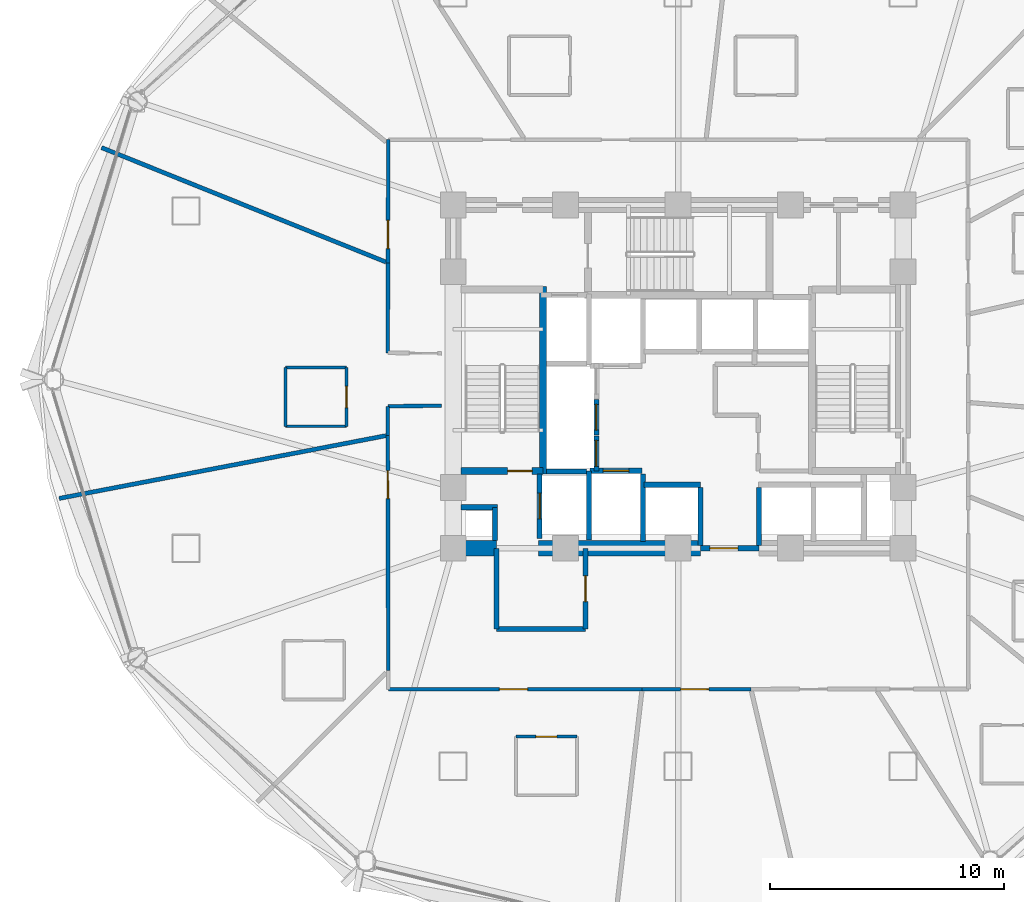
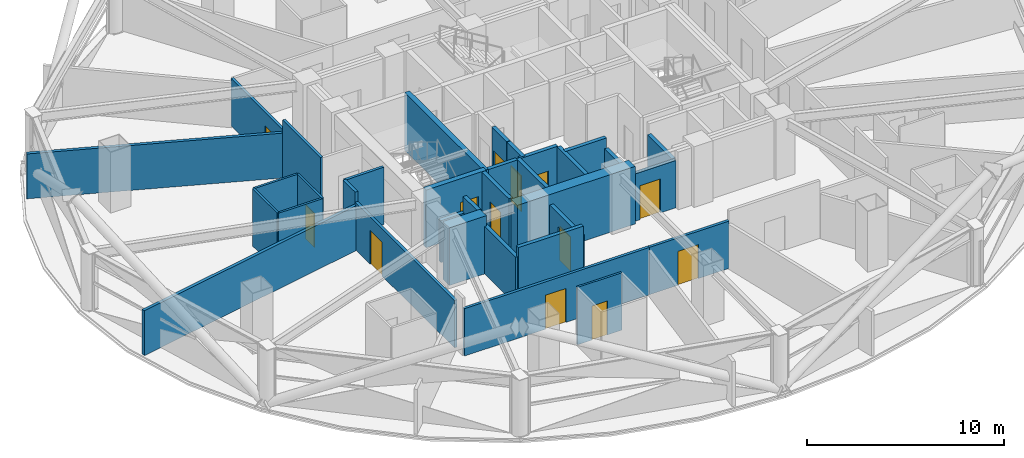
# One storey, part 23 of 30: 34 walls, 13 doors, 13 openings.
"""IFC4 building model written with IfcOpenShell, lengths in metres."""

from ifc_helpers import new_model, si_unit, direction, frame, frame_2d, origin, place, context, subcontext, project, spatial, rectangle, extrude, material, layer, layer_set, type_object, element, fill, save


model = new_model("IFC4")

# Units and contexts
model_context = context("Model", 3, precision=1e-05, world=origin(), true_north=direction((0.0, 1.0)))
body_context = subcontext(model_context, "Body", "Model", "MODEL_VIEW")
ifc_project = project(units=[si_unit("LENGTHUNIT", "METRE"), si_unit("AREAUNIT", "SQUARE_METRE"), si_unit("VOLUMEUNIT", "CUBIC_METRE"), si_unit("PLANEANGLEUNIT", "RADIAN"), si_unit("MASSUNIT", "GRAM", prefix="KILO")], contexts=[model_context])

# Site, building, storey
site_placement = place(None, origin())
site = spatial("IfcSite", under=ifc_project, at=site_placement, CompositionType="ELEMENT")
building_placement = place(site_placement, origin())
building = spatial("IfcBuilding", under=site, at=building_placement, Name="Vantalir Tower", CompositionType="ELEMENT")
storey_placement = place(building_placement, frame((0.0, 0.0, 49.5)))
storey = spatial("IfcBuildingStorey", under=building, at=storey_placement, Name="L11", CompositionType="ELEMENT", Elevation=49.5)

# Walls
ifc_material_1 = material(Name="Moisture-resistant en-suite partition", Category="gypsum")
ifc_layer_1 = layer(ifc_material_1, 0.125)
ifc_layer_set_1 = layer_set([ifc_layer_1], Name="Moisture-resistant en-suite partition")
wall_type_1 = type_object("IfcWallType", Name="WL-BATH-125", PredefinedType="PARTITIONING", material=ifc_layer_set_1)
for number, where, z_axis, x_axis, name in (
    (1, (14.748046875, 23.006103515625, 0.0), (0.0, 0.0, 1.0), (1.0, 0.0, 0.0), "L11 En-suite 07 South Wall"),
    (2, (14.748046875, 25.506103515625, 0.0), (0.0, 0.0, 1.0), (1.0, 0.0, 0.0), "L11 En-suite 07 North Wall"),
):
    element("IfcWall", number, at=place(storey_placement, frame(where, z_axis=z_axis, x_axis=x_axis)), inside=storey, type_object=wall_type_1, Name=name, PredefinedType="PARTITIONING", context=body_context, shape_type="SweptSolid", body=[
        extrude(rectangle(XDim=2.599853515625, YDim=0.125, at=frame_2d((1.2998046875, 0.0))), origin(), (0.0, 0.0, 1.0), 3.550048828125),
    ])
wall_1_placement = place(storey_placement, frame((14.748046875, 23.006103515625, 0.0), z_axis=(0.0, 0.0, 1.0), x_axis=(0.0, 1.0, 0.0)))
element("IfcWall", 3, at=wall_1_placement, inside=storey, type_object=wall_type_1, Name="L11 En-suite 07 West Wall", PredefinedType="PARTITIONING", context=body_context, shape_type="SweptSolid", body=[
    extrude(rectangle(XDim=2.5, YDim=0.125, at=frame_2d((1.25, 0.0))), origin(), (0.0, 0.0, 1.0), 3.550048828125),
])

# Wall, opening, door
wall_2_placement = place(storey_placement, frame((17.347900390625, 23.006103515625, 0.0), z_axis=(0.0, 0.0, 1.0), x_axis=(0.0, 1.0, 0.0)))
wall_2 = element("IfcWall", 4, at=wall_2_placement, inside=storey, type_object=wall_type_1, Name="L11 En-suite 07 East Wall", PredefinedType="PARTITIONING", context=body_context, shape_type="SweptSolid", body=[
    extrude(rectangle(XDim=2.5, YDim=0.125, at=frame_2d((1.25, 0.0))), origin(), (0.0, 0.0, 1.0), 3.550048828125),
])
opening_1_placement = place(wall_2_placement, frame((0.800048828125, 0.0, 0.0)))
opening_1 = element("IfcOpeningElement", 5, at=opening_1_placement, cuts=wall_2, Name="Opening D-WC", PredefinedType="OPENING", context=body_context, shape_type="SweptSolid", body=[
    extrude(rectangle(XDim=0.89990234375, YDim=2.10009765625, at=frame_2d((0.449951171875, 1.050048828125))), frame((0.0, 0.072509765625, 0.0), z_axis=(0.0, -1.0, 0.0), x_axis=(1.0, 0.0, 0.0)), (0.0, 0.0, 1.0), 0.14501953125),
])
ifc_material_2 = material(Name="Moisture-resistant hardwood door", Category="wood")
door_type_1 = type_object("IfcDoorType", Name="DR-ENSUITE-900", OperationType="NOTDEFINED", PredefinedType="DOOR", material=ifc_material_2)
door_1_placement = place(opening_1_placement, origin())
door_1 = element("IfcDoor", 6, at=door_1_placement, inside=storey, type_object=door_type_1, Name="L11 En-suite 07 Door", OperationType="SINGLE_SWING_LEFT", OverallHeight=2.10009765625, OverallWidth=0.89990234375, PredefinedType="DOOR", context=body_context, shape_type="SweptSolid", body=[
    extrude(rectangle(XDim=0.89990234375, YDim=2.10009765625, at=frame_2d((0.449951171875, 1.050048828125))), frame((0.0, 0.02490234375, 0.0), z_axis=(0.0, -1.0, 0.0), x_axis=(1.0, 0.0, 0.0)), (0.0, 0.0, 1.0), 0.050048828125),
])
fill(opening_1, door_1)

wall_3_placement = place(storey_placement, frame((24.580078125, 9.761962890625, 0.0), z_axis=(0.0, 0.0, 1.0), x_axis=(1.0, 0.0, 0.0)))
wall_3 = element("IfcWall", 7, at=wall_3_placement, inside=storey, type_object=wall_type_1, Name="L11 En-suite 09 North Wall", PredefinedType="PARTITIONING", context=body_context, shape_type="SweptSolid", body=[
    extrude(rectangle(XDim=2.599853515625, YDim=0.125, at=frame_2d((1.2998046875, 0.0))), origin(), (0.0, 0.0, 1.0), 3.550048828125),
])
opening_2_placement = place(wall_3_placement, frame((0.85009765625, 0.0, 0.0)))
opening_2 = element("IfcOpeningElement", 8, at=opening_2_placement, cuts=wall_3, Name="Opening D-WC", PredefinedType="OPENING", context=body_context, shape_type="SweptSolid", body=[
    extrude(rectangle(XDim=0.89990234375, YDim=2.10009765625, at=frame_2d((0.449951171875, 1.050048828125))), frame((0.0, 0.072509765625, 0.0), z_axis=(0.0, -1.0, 0.0), x_axis=(1.0, 0.0, 0.0)), (0.0, 0.0, 1.0), 0.14501953125),
])
door_2_placement = place(opening_2_placement, frame((0.89990234375, 0.0, 0.0), z_axis=(0.0, 0.0, 1.0), x_axis=(-1.0, 0.0, 0.0)))
door_2 = element("IfcDoor", 9, at=door_2_placement, inside=storey, type_object=door_type_1, Name="L11 En-suite 09 Door", OperationType="SINGLE_SWING_LEFT", OverallHeight=2.10009765625, OverallWidth=0.89990234375, PredefinedType="DOOR", context=body_context, shape_type="SweptSolid", body=[
    extrude(rectangle(XDim=0.89990234375, YDim=2.10009765625, at=frame_2d((0.449951171875, 1.050048828125))), frame((0.0, 0.02490234375, 0.0), z_axis=(0.0, -1.0, 0.0), x_axis=(1.0, 0.0, 0.0)), (0.0, 0.0, 1.0), 0.050048828125),
])
fill(opening_2, door_2)

# Walls
ifc_material_3 = material(Name="Concrete C60/75", Category="concrete")
ifc_layer_2 = layer(ifc_material_3, 0.64990234375)
ifc_layer_set_2 = layer_set([ifc_layer_2], Name="Concrete C60/75")
wall_type_2 = type_object("IfcWallType", Name="WL-CORE-650", PredefinedType="SHEAR", material=ifc_layer_set_2)
wall_4_placement = place(storey_placement, frame((21.574951171875, 17.800048828125, 0.0), z_axis=(0.0, 0.0, 1.0), x_axis=(1.0, 0.0, 0.0)))
element("IfcWall", 10, at=wall_4_placement, inside=storey, type_object=wall_type_2, Name="L11 Core Shear Wall South-West", PredefinedType="SHEAR", context=body_context, shape_type="SweptSolid", body=[
    extrude(rectangle(XDim=2.175048828125, YDim=0.64990234375, at=frame_2d((1.08740234375, 0.0))), origin(), (0.0, 0.0, 1.0), 3.570068359375),
])
wall_5_placement = place(storey_placement, frame((25.550048828125, 17.800048828125, 0.0), z_axis=(0.0, 0.0, 1.0), x_axis=(1.0, 0.0, 0.0)))
element("IfcWall", 11, at=wall_5_placement, inside=storey, type_object=wall_type_2, Name="L11 Core Shear Wall South-Mid", PredefinedType="SHEAR", context=body_context, shape_type="SweptSolid", body=[
    extrude(rectangle(XDim=6.89990234375, YDim=0.64990234375, at=frame_2d((3.449951171875, 0.0))), origin(), (0.0, 0.0, 1.0), 3.570068359375),
])
ifc_material_4 = material(Name="Fire-rated hotel corridor acoustic partition", Category="gypsum")
ifc_layer_3 = layer(ifc_material_4, 0.159912109375)
ifc_layer_set_3 = layer_set([ifc_layer_3], Name="Fire-rated hotel corridor acoustic partition")
wall_type_3 = type_object("IfcWallType", Name="WL-CORR-160", PredefinedType="PARTITIONING", material=ifc_layer_set_3)
wall_6_placement = place(storey_placement, frame((19.111083984375, 26.14208984375, 0.0), z_axis=(0.0, 0.0, 1.0), x_axis=(0.002035619192, 0.999997928125, 0.0)))
element("IfcWall", 12, at=wall_6_placement, inside=storey, type_object=wall_type_3, Name="L11 Corridor Partition 02", PredefinedType="PARTITIONING", context=body_context, shape_type="SweptSolid", body=[
    extrude(rectangle(XDim=3.837890625, YDim=0.159912109375, at=frame_2d((1.9189453125, 0.0))), origin(), (0.0, 0.0, 1.0), 3.550048828125),
])

# Wall, opening, door
wall_7_placement = place(storey_placement, frame((19.118896484375, 29.97998046875, 0.0), z_axis=(0.0, 0.0, 1.0), x_axis=(0.002322874105, 0.999997302124, 0.0)))
wall_7 = element("IfcWall", 13, at=wall_7_placement, inside=storey, type_object=wall_type_3, Name="L11 Corridor Partition 03", PredefinedType="PARTITIONING", context=body_context, shape_type="SweptSolid", body=[
    extrude(rectangle(XDim=5.255126953125, YDim=0.159912109375, at=frame_2d((2.62744140625, 0.0))), origin(), (0.0, 0.0, 1.0), 2.927978515625),
])
opening_3_placement = place(wall_7_placement, frame((0.60791015625, 0.0, 0.0)))
opening_3 = element("IfcOpeningElement", 14, at=opening_3_placement, cuts=wall_7, Name="Opening D-STE", PredefinedType="OPENING", context=body_context, shape_type="SweptSolid", body=[
    extrude(rectangle(XDim=1.199951171875, YDim=2.10009765625, at=frame_2d((0.60009765625, 1.050048828125))), frame((0.0, 0.08984375, 0.0), z_axis=(0.0, -1.0, 0.0), x_axis=(1.0, 0.0, 0.0)), (0.0, 0.0, 1.0), 0.179931640625),
])
ifc_material_5 = material(Name="Solid-core teak veneer suite entrance door", Category="wood")
door_type_2 = type_object("IfcDoorType", Name="DR-SUITE-ENTRY-1200", OperationType="NOTDEFINED", PredefinedType="DOOR", material=ifc_material_5)
door_3_placement = place(opening_3_placement, origin())
door_3 = element("IfcDoor", 15, at=door_3_placement, inside=storey, type_object=door_type_2, Name="L11 Executive Sky Boardroom 06 Door", OperationType="SINGLE_SWING_LEFT", OverallHeight=2.10009765625, OverallWidth=1.199951171875, PredefinedType="DOOR", context=body_context, shape_type="SweptSolid", body=[
    extrude(rectangle(XDim=1.199951171875, YDim=2.10009765625, at=frame_2d((0.60009765625, 1.050048828125))), frame((0.0, 0.02490234375, 0.0), z_axis=(0.0, -1.0, 0.0), x_axis=(1.0, 0.0, 0.0)), (0.0, 0.0, 1.0), 0.050048828125),
])
fill(opening_3, door_3)

wall_8_placement = place(storey_placement, frame((34.60791015625, 11.7900390625, 0.0), z_axis=(0.0, 0.0, 1.0), x_axis=(-0.999999801099, -0.000630715737, 0.0)))
wall_8 = element("IfcWall", 16, at=wall_8_placement, inside=storey, type_object=wall_type_3, Name="L11 Corridor Partition 16", PredefinedType="PARTITIONING", context=body_context, shape_type="SweptSolid", body=[
    extrude(rectangle(XDim=4.64501953125, YDim=0.159912109375, at=frame_2d((2.322509765625, 0.0))), origin(), (0.0, 0.0, 1.0), 2.927978515625),
])
opening_4_placement = place(wall_8_placement, frame((1.797119140625, 0.0, 0.0)))
opening_4 = element("IfcOpeningElement", 17, at=opening_4_placement, cuts=wall_8, Name="Opening D-STE", PredefinedType="OPENING", context=body_context, shape_type="SweptSolid", body=[
    extrude(rectangle(XDim=1.199951171875, YDim=2.10009765625, at=frame_2d((0.60009765625, 1.050048828125))), frame((0.0, 0.08984375, 0.0), z_axis=(0.0, -1.0, 0.0), x_axis=(1.0, 0.0, 0.0)), (0.0, 0.0, 1.0), 0.179931640625),
])
door_4_placement = place(opening_4_placement, origin())
door_4 = element("IfcDoor", 18, at=door_4_placement, inside=storey, type_object=door_type_2, Name="L11 Club Reading Lounge 10 Door", OperationType="SINGLE_SWING_LEFT", OverallHeight=2.10009765625, OverallWidth=1.199951171875, PredefinedType="DOOR", context=body_context, shape_type="SweptSolid", body=[
    extrude(rectangle(XDim=1.199951171875, YDim=2.10009765625, at=frame_2d((0.60009765625, 1.050048828125))), frame((0.0, 0.02490234375, 0.0), z_axis=(0.0, -1.0, 0.0), x_axis=(1.0, 0.0, 0.0)), (0.0, 0.0, 1.0), 0.050048828125),
])
fill(opening_4, door_4)

wall_9_placement = place(storey_placement, frame((29.962890625, 11.787109375, 0.0), z_axis=(0.0, 0.0, 1.0), x_axis=(-0.999999786378, -0.000653638826, 0.0)))
wall_9 = element("IfcWall", 19, at=wall_9_placement, inside=storey, type_object=wall_type_3, Name="L11 Corridor Partition 17", PredefinedType="PARTITIONING", context=body_context, shape_type="SweptSolid", body=[
    extrude(rectangle(XDim=10.831787109375, YDim=0.159912109375, at=frame_2d((5.416015625, 0.0))), origin(), (0.0, 0.0, 1.0), 2.927978515625),
])
opening_5_placement = place(wall_9_placement, frame((4.889892578125, 0.0, 0.0)))
opening_5 = element("IfcOpeningElement", 20, at=opening_5_placement, cuts=wall_9, Name="Opening D-STE", PredefinedType="OPENING", context=body_context, shape_type="SweptSolid", body=[
    extrude(rectangle(XDim=1.199951171875, YDim=2.10009765625, at=frame_2d((0.60009765625, 1.050048828125))), frame((0.0, 0.08984375, 0.0), z_axis=(0.0, -1.0, 0.0), x_axis=(1.0, 0.0, 0.0)), (0.0, 0.0, 1.0), 0.179931640625),
])
door_5_placement = place(opening_5_placement, origin())
door_5 = element("IfcDoor", 21, at=door_5_placement, inside=storey, type_object=door_type_2, Name="L11 Corner Panorama Hotel Suite 09 Door", OperationType="SINGLE_SWING_RIGHT", OverallHeight=2.10009765625, OverallWidth=1.199951171875, PredefinedType="DOOR", context=body_context, shape_type="SweptSolid", body=[
    extrude(rectangle(XDim=1.199951171875, YDim=2.10009765625, at=frame_2d((0.60009765625, 1.050048828125))), frame((0.0, 0.02490234375, 0.0), z_axis=(0.0, -1.0, 0.0), x_axis=(1.0, 0.0, 0.0)), (0.0, 0.0, 1.0), 0.050048828125),
])
fill(opening_5, door_5)

wall_10_placement = place(storey_placement, frame((19.1298828125, 12.5869140625, 0.0), z_axis=(0.0, 0.0, 1.0), x_axis=(-0.001678829751, 0.999998590764, 0.0)))
wall_10 = element("IfcWall", 22, at=wall_10_placement, inside=storey, type_object=wall_type_3, Name="L11 Corridor Partition 19", PredefinedType="PARTITIONING", context=body_context, shape_type="SweptSolid", body=[
    extrude(rectangle(XDim=10.0341796875, YDim=0.159912109375, at=frame_2d((5.01708984375, 0.0))), origin(), (0.0, 0.0, 1.0), 2.927978515625),
])
opening_6_placement = place(wall_10_placement, frame((7.330078125, 0.0, 0.0)))
opening_6 = element("IfcOpeningElement", 23, at=opening_6_placement, cuts=wall_10, Name="Opening D-STE", PredefinedType="OPENING", context=body_context, shape_type="SweptSolid", body=[
    extrude(rectangle(XDim=1.199951171875, YDim=2.10009765625, at=frame_2d((0.60009765625, 1.050048828125))), frame((0.0, 0.08984375, 0.0), z_axis=(0.0, -1.0, 0.0), x_axis=(1.0, 0.0, 0.0)), (0.0, 0.0, 1.0), 0.179931640625),
])
door_6_placement = place(opening_6_placement, origin())
door_6 = element("IfcDoor", 24, at=door_6_placement, inside=storey, type_object=door_type_2, Name="L11 Executive Club Hotel Suite 08 Door", OperationType="SINGLE_SWING_LEFT", OverallHeight=2.10009765625, OverallWidth=1.199951171875, PredefinedType="DOOR", context=body_context, shape_type="SweptSolid", body=[
    extrude(rectangle(XDim=1.199951171875, YDim=2.10009765625, at=frame_2d((0.60009765625, 1.050048828125))), frame((0.0, 0.02490234375, 0.0), z_axis=(0.0, -1.0, 0.0), x_axis=(1.0, 0.0, 0.0)), (0.0, 0.0, 1.0), 0.050048828125),
])
fill(opening_6, door_6)

# Walls
wall_11_placement = place(storey_placement, frame((19.113037109375, 22.62109375, 0.0), z_axis=(0.0, 0.0, 1.0), x_axis=(-0.001579153183, 0.999998753137, 0.0)))
element("IfcWall", 25, at=wall_11_placement, inside=storey, type_object=wall_type_3, Name="L11 Corridor Partition 20", PredefinedType="PARTITIONING", context=body_context, shape_type="SweptSolid", body=[
    extrude(rectangle(XDim=1.23681640625, YDim=0.159912109375, at=frame_2d((0.618408203125, 0.0))), origin(), (0.0, 0.0, 1.0), 3.550048828125),
])
wall_12_placement = place(storey_placement, frame((19.111083984375, 23.85791015625, 0.0), z_axis=(0.0, 0.0, 1.0), x_axis=(0.999919104634, 0.01271944131, 0.0)))
element("IfcWall", 26, at=wall_12_placement, inside=storey, type_object=wall_type_3, Name="L11 Corridor Partition 21", PredefinedType="PARTITIONING", context=body_context, shape_type="SweptSolid", body=[
    extrude(rectangle(XDim=2.2841796875, YDim=0.159912109375, at=frame_2d((1.14208984375, 0.0))), origin(), (0.0, 0.0, 1.0), 3.550048828125),
])
ifc_material_6 = material(Name="Concrete blockwork with fireboard lining", Category="masonry")
ifc_layer_4 = layer(ifc_material_6, 0.219970703125)
ifc_layer_set_4 = layer_set([ifc_layer_4], Name="Concrete blockwork with fireboard lining")
wall_type_4 = type_object("IfcWallType", Name="WL-FFL-220", PredefinedType="PARTITIONING", material=ifc_layer_set_4)
wall_13_placement = place(storey_placement, frame((30.0, 18.080078125, 0.0), z_axis=(0.0, 0.0, 1.0), x_axis=(0.0, 1.0, 0.0)))
element("IfcWall", 27, at=wall_13_placement, inside=storey, type_object=wall_type_4, Name="L11 Service Lift SV1 East Shaft Wall", PredefinedType="PARTITIONING", context=body_context, shape_type="SweptSolid", body=[
    extrude(rectangle(XDim=2.89990234375, YDim=0.219970703125, at=frame_2d((1.449951171875, 0.0))), origin(), (0.0, 0.0, 1.0), 3.544921875),
])
for number, where, z_axis, x_axis, name in (
    (28, (32.449951171875, 17.919921875, 0.0), (0.0, 0.0, 1.0), (0.0, 1.0, 0.0), "L11 Shuttle Lift PL-X1 East Shaft Cheek"),
    (29, (34.949951171875, 17.919921875, 0.0), (0.0, 0.0, 1.0), (0.0, 1.0, 0.0), "L11 Shuttle Lift PL-X3 West Shaft Cheek"),
):
    element("IfcWall", number, at=place(storey_placement, frame(where, z_axis=z_axis, x_axis=x_axis)), inside=storey, type_object=wall_type_4, Name=name, PredefinedType="PARTITIONING", context=body_context, shape_type="SweptSolid", body=[
        extrude(rectangle(XDim=2.469970703125, YDim=0.219970703125, at=frame_2d((1.23486328125, 0.0))), origin(), (0.0, 0.0, 1.0), 2.927978515625),
    ])

# Wall, opening, door
wall_14_placement = place(storey_placement, frame((32.449951171875, 17.800048828125, 0.0), z_axis=(0.0, 0.0, 1.0), x_axis=(1.0, 0.0, 0.0)))
wall_14 = element("IfcWall", 30, at=wall_14_placement, inside=storey, type_object=wall_type_4, Name="L11 Passenger Lift Lobby South Wall", PredefinedType="PARTITIONING", context=body_context, shape_type="SweptSolid", body=[
    extrude(rectangle(XDim=2.5, YDim=0.219970703125, at=frame_2d((1.25, 0.0))), origin(), (0.0, 0.0, 1.0), 2.927978515625),
])
opening_7_placement = place(wall_14_placement, frame((0.39990234375, 0.0, 0.0)))
opening_7 = element("IfcOpeningElement", 31, at=opening_7_placement, cuts=wall_14, Name="Opening D-STE", PredefinedType="OPENING", context=body_context, shape_type="SweptSolid", body=[
    extrude(rectangle(XDim=1.199951171875, YDim=2.10009765625, at=frame_2d((0.60009765625, 1.050048828125))), frame((0.0, 0.119873046875, 0.0), z_axis=(0.0, -1.0, 0.0), x_axis=(1.0, 0.0, 0.0)), (0.0, 0.0, 1.0), 0.239990234375),
])
door_7_placement = place(opening_7_placement, origin())
door_7 = element("IfcDoor", 32, at=door_7_placement, inside=storey, type_object=door_type_2, Name="L11 Passenger Lift Lobby Concourse Door", OperationType="SINGLE_SWING_RIGHT", OverallHeight=2.10009765625, OverallWidth=1.199951171875, PredefinedType="DOOR", context=body_context, shape_type="SweptSolid", body=[
    extrude(rectangle(XDim=1.199951171875, YDim=2.10009765625, at=frame_2d((0.60009765625, 1.050048828125))), frame((0.0, 0.02490234375, 0.0), z_axis=(0.0, -1.0, 0.0), x_axis=(1.0, 0.0, 0.0)), (0.0, 0.0, 1.0), 0.050048828125),
])
fill(opening_7, door_7)

# Walls
wall_15_placement = place(storey_placement, frame((23.679931640625, 18.125, 0.0), z_axis=(0.0, 0.0, 1.0), x_axis=(0.0, 1.0, 0.0)))
element("IfcWall", 33, at=wall_15_placement, inside=storey, type_object=wall_type_4, Name="L11 West MEP Riser Wall E", PredefinedType="PARTITIONING", context=body_context, shape_type="SweptSolid", body=[
    extrude(rectangle(XDim=1.425048828125, YDim=0.219970703125, at=frame_2d((0.71240234375, 0.0))), origin(), (0.0, 0.0, 1.0), 3.550048828125),
])
wall_16_placement = place(storey_placement, frame((22.22509765625, 19.550048828125, 0.0), z_axis=(0.0, 0.0, 1.0), x_axis=(1.0, 0.0, 0.0)))
element("IfcWall", 34, at=wall_16_placement, inside=storey, type_object=wall_type_4, Name="L11 West MEP Riser Wall N", PredefinedType="PARTITIONING", context=body_context, shape_type="SweptSolid", body=[
    extrude(rectangle(XDim=1.56494140625, YDim=0.219970703125, at=frame_2d((0.782470703125, 0.0))), origin(), (0.0, 0.0, 1.0), 2.594970703125),
])

# Wall, opening, door
wall_17_placement = place(storey_placement, frame((25.590087890625, 18.219970703125, 0.0), z_axis=(0.0, 0.0, 1.0), x_axis=(0.0, 1.0, 0.0)))
wall_17 = element("IfcWall", 35, at=wall_17_placement, inside=storey, type_object=wall_type_4, Name="L11 Lift FL1 Shaft Front Wall", PredefinedType="PARTITIONING", context=body_context, shape_type="SweptSolid", body=[
    extrude(rectangle(XDim=2.760009765625, YDim=0.219970703125, at=frame_2d((1.3798828125, 0.0))), origin(), (0.0, 0.0, 1.0), 3.550048828125),
])
opening_8_placement = place(wall_17_placement, frame((0.830078125, 0.0, 0.0)))
opening_8 = element("IfcOpeningElement", 36, at=opening_8_placement, cuts=wall_17, Name="Opening LD-FL1", PredefinedType="OPENING", context=body_context, shape_type="SweptSolid", body=[
    extrude(rectangle(XDim=1.10009765625, YDim=2.199951171875, at=frame_2d((0.550048828125, 1.10009765625))), frame((0.0, 0.119873046875, 0.0), z_axis=(0.0, -1.0, 0.0), x_axis=(1.0, 0.0, 0.0)), (0.0, 0.0, 1.0), 0.239990234375),
])
ifc_material_7 = material(Name="Brushed stainless-steel sliding lift landing door", Category="steel")
door_type_3 = type_object("IfcDoorType", Name="DR-LIFT-LANDING-1100", OperationType="DOUBLE_DOOR_SLIDING", PredefinedType="DOOR", material=ifc_material_7)
door_8_placement = place(opening_8_placement, origin())
door_8 = element("IfcDoor", 37, at=door_8_placement, inside=storey, type_object=door_type_3, Name="L11 Lift Landing Door FL1", OperationType="DOUBLE_DOOR_SLIDING", OverallHeight=2.199951171875, OverallWidth=1.10009765625, PredefinedType="DOOR", context=body_context, shape_type="SweptSolid", body=[
    extrude(rectangle(XDim=1.10009765625, YDim=2.199951171875, at=frame_2d((0.550048828125, 1.10009765625))), frame((0.0, 0.02490234375, 0.0), z_axis=(0.0, -1.0, 0.0), x_axis=(1.0, 0.0, 0.0)), (0.0, 0.0, 1.0), 0.050048828125),
])
fill(opening_8, door_8)

wall_18_placement = place(storey_placement, frame((27.739990234375, 21.110107421875, 0.0), z_axis=(0.0, 0.0, 1.0), x_axis=(1.0, 0.0, 0.0)))
wall_18 = element("IfcWall", 38, at=wall_18_placement, inside=storey, type_object=wall_type_4, Name="L11 Lift SV1 Shaft Front Wall", PredefinedType="PARTITIONING", context=body_context, shape_type="SweptSolid", body=[
    extrude(rectangle(XDim=2.219970703125, YDim=0.219970703125, at=frame_2d((1.10986328125, 0.0))), origin(), (0.0, 0.0, 1.0), 3.550048828125),
])
opening_9_placement = place(wall_18_placement, frame((0.56005859375, 0.0, 0.0)))
opening_9 = element("IfcOpeningElement", 39, at=opening_9_placement, cuts=wall_18, Name="Opening LD-SV1", PredefinedType="OPENING", context=body_context, shape_type="SweptSolid", body=[
    extrude(rectangle(XDim=1.10009765625, YDim=2.199951171875, at=frame_2d((0.550048828125, 1.10009765625))), frame((0.0, 0.119873046875, 0.0), z_axis=(0.0, -1.0, 0.0), x_axis=(1.0, 0.0, 0.0)), (0.0, 0.0, 1.0), 0.239990234375),
])
door_9_placement = place(opening_9_placement, origin())
door_9 = element("IfcDoor", 40, at=door_9_placement, inside=storey, type_object=door_type_3, Name="L11 Lift Landing Door SV1", OperationType="DOUBLE_DOOR_SLIDING", OverallHeight=2.199951171875, OverallWidth=1.10009765625, PredefinedType="DOOR", context=body_context, shape_type="SweptSolid", body=[
    extrude(rectangle(XDim=1.10009765625, YDim=2.199951171875, at=frame_2d((0.550048828125, 1.10009765625))), frame((0.0, 0.02490234375, 0.0), z_axis=(0.0, -1.0, 0.0), x_axis=(1.0, 0.0, 0.0)), (0.0, 0.0, 1.0), 0.050048828125),
])
fill(opening_9, door_9)

# Wall
wall_19_placement = place(storey_placement, frame((30.0400390625, 20.510009765625, 0.0), z_axis=(0.0, 0.0, 1.0), x_axis=(1.0, 0.0, 0.0)))
element("IfcWall", 41, at=wall_19_placement, inside=storey, type_object=wall_type_4, Name="L11 Lift PL-X1 Shaft Front Wall", PredefinedType="PARTITIONING", context=body_context, shape_type="SweptSolid", body=[
    extrude(rectangle(XDim=2.419921875, YDim=0.219970703125, at=frame_2d((1.2099609375, 0.0))), origin(), (0.0, 0.0, 1.0), 3.550048828125),
])

# Wall, opening, door
wall_20_placement = place(storey_placement, frame((28.010009765625, 21.10009765625, 0.0), z_axis=(0.0, 0.0, 1.0), x_axis=(0.0, 1.0, 0.0)))
wall_20 = element("IfcWall", 42, at=wall_20_placement, inside=storey, type_object=wall_type_4, Name="L11 Lift PL-L1 Shaft Front Wall", PredefinedType="PARTITIONING", context=body_context, shape_type="SweptSolid", body=[
    extrude(rectangle(XDim=1.5, YDim=0.219970703125, at=frame_2d((0.75, 0.0))), origin(), (0.0, 0.0, 1.0), 3.550048828125),
])
opening_10_placement = place(wall_20_placement, frame((0.199951171875, 0.0, 0.0)))
opening_10 = element("IfcOpeningElement", 43, at=opening_10_placement, cuts=wall_20, Name="Opening LD-PL-L1", PredefinedType="OPENING", context=body_context, shape_type="SweptSolid", body=[
    extrude(rectangle(XDim=1.10009765625, YDim=2.199951171875, at=frame_2d((0.550048828125, 1.10009765625))), frame((0.0, 0.119873046875, 0.0), z_axis=(0.0, -1.0, 0.0), x_axis=(1.0, 0.0, 0.0)), (0.0, 0.0, 1.0), 0.239990234375),
])
door_10_placement = place(opening_10_placement, frame((1.10009765625, 0.0, 0.0), z_axis=(0.0, 0.0, 1.0), x_axis=(-1.0, 0.0, 0.0)))
door_10 = element("IfcDoor", 44, at=door_10_placement, inside=storey, type_object=door_type_3, Name="L11 Lift Landing Door PL-L1", OperationType="DOUBLE_DOOR_SLIDING", OverallHeight=2.199951171875, OverallWidth=1.10009765625, PredefinedType="DOOR", context=body_context, shape_type="SweptSolid", body=[
    extrude(rectangle(XDim=1.10009765625, YDim=2.199951171875, at=frame_2d((0.550048828125, 1.10009765625))), frame((0.0, 0.02490234375, 0.0), z_axis=(0.0, -1.0, 0.0), x_axis=(1.0, 0.0, 0.0)), (0.0, 0.0, 1.0), 0.050048828125),
])
fill(opening_10, door_10)

wall_21_placement = place(storey_placement, frame((28.010009765625, 22.639892578125, 0.0), z_axis=(0.0, 0.0, 1.0), x_axis=(0.0, 1.0, 0.0)))
wall_21 = element("IfcWall", 45, at=wall_21_placement, inside=storey, type_object=wall_type_4, Name="L11 Lift PL-L2 Shaft Front Wall", PredefinedType="PARTITIONING", context=body_context, shape_type="SweptSolid", body=[
    extrude(rectangle(XDim=1.5, YDim=0.219970703125, at=frame_2d((0.75, 0.0))), origin(), (0.0, 0.0, 1.0), 3.550048828125),
])
opening_11_placement = place(wall_21_placement, frame((0.199951171875, 0.0, 0.0)))
opening_11 = element("IfcOpeningElement", 46, at=opening_11_placement, cuts=wall_21, Name="Opening LD-PL-L2", PredefinedType="OPENING", context=body_context, shape_type="SweptSolid", body=[
    extrude(rectangle(XDim=1.10009765625, YDim=2.199951171875, at=frame_2d((0.550048828125, 1.10009765625))), frame((0.0, 0.119873046875, 0.0), z_axis=(0.0, -1.0, 0.0), x_axis=(1.0, 0.0, 0.0)), (0.0, 0.0, 1.0), 0.239990234375),
])
door_11_placement = place(opening_11_placement, frame((1.10009765625, 0.0, 0.0), z_axis=(0.0, 0.0, 1.0), x_axis=(-1.0, 0.0, 0.0)))
door_11 = element("IfcDoor", 47, at=door_11_placement, inside=storey, type_object=door_type_3, Name="L11 Lift Landing Door PL-L2", OperationType="DOUBLE_DOOR_SLIDING", OverallHeight=2.199951171875, OverallWidth=1.10009765625, PredefinedType="DOOR", context=body_context, shape_type="SweptSolid", body=[
    extrude(rectangle(XDim=1.10009765625, YDim=2.199951171875, at=frame_2d((0.550048828125, 1.10009765625))), frame((0.0, 0.02490234375, 0.0), z_axis=(0.0, -1.0, 0.0), x_axis=(1.0, 0.0, 0.0)), (0.0, 0.0, 1.0), 0.050048828125),
])
fill(opening_11, door_11)

# Walls
wall_22_placement = place(storey_placement, frame((27.699951171875, 18.14990234375, 0.0), z_axis=(0.0, 0.0, 1.0), x_axis=(0.0, 1.0, 0.0)))
element("IfcWall", 48, at=wall_22_placement, inside=storey, type_object=wall_type_4, Name="L11 Fire Lift FL1 Dividing Wall", PredefinedType="PARTITIONING", context=body_context, shape_type="SweptSolid", body=[
    extrude(rectangle(XDim=2.9501953125, YDim=0.219970703125, at=frame_2d((1.47509765625, 0.0))), origin(), (0.0, 0.0, 1.0), 3.550048828125),
])
wall_23_placement = place(storey_placement, frame((25.8798828125, 21.080078125, 0.0), z_axis=(0.0, 0.0, 1.0), x_axis=(1.0, 0.0, 0.0)))
element("IfcWall", 49, at=wall_23_placement, inside=storey, type_object=wall_type_4, Name="L11 Low-Rise Bank South Wall", PredefinedType="PARTITIONING", context=body_context, shape_type="SweptSolid", body=[
    extrude(rectangle(XDim=1.7001953125, YDim=0.219970703125, at=frame_2d((0.85009765625, 0.0))), origin(), (0.0, 0.0, 1.0), 3.550048828125),
])
wall_24_placement = place(storey_placement, frame((23.75, 14.35009765625, 0.0), z_axis=(0.0, 0.0, 1.0), x_axis=(0.0, 1.0, 0.0)))
element("IfcWall", 50, at=wall_24_placement, inside=storey, type_object=wall_type_4, Name="L11 Firefighting Lobby West Outer W", PredefinedType="PARTITIONING", context=body_context, shape_type="SweptSolid", body=[
    extrude(rectangle(XDim=3.449951171875, YDim=0.219970703125, at=frame_2d((1.72509765625, 0.0))), origin(), (0.0, 0.0, 1.0), 2.927978515625),
])
wall_25_placement = place(storey_placement, frame((23.75, 14.35009765625, 0.0), z_axis=(0.0, 0.0, 1.0), x_axis=(1.0, 0.0, 0.0)))
element("IfcWall", 51, at=wall_25_placement, inside=storey, type_object=wall_type_4, Name="L11 Firefighting Lobby West South Wall", PredefinedType="PARTITIONING", context=body_context, shape_type="SweptSolid", body=[
    extrude(rectangle(XDim=3.800048828125, YDim=0.219970703125, at=frame_2d((1.89990234375, 0.0))), origin(), (0.0, 0.0, 1.0), 3.550048828125),
])

# Wall, opening, door
wall_26_placement = place(storey_placement, frame((27.550048828125, 14.35009765625, 0.0), z_axis=(0.0, 0.0, 1.0), x_axis=(0.0, 1.0, 0.0)))
wall_26 = element("IfcWall", 52, at=wall_26_placement, inside=storey, type_object=wall_type_4, Name="L11 Firefighting Lobby West East Wall", PredefinedType="PARTITIONING", context=body_context, shape_type="SweptSolid", body=[
    extrude(rectangle(XDim=3.449951171875, YDim=0.219970703125, at=frame_2d((1.72509765625, 0.0))), origin(), (0.0, 0.0, 1.0), 2.927978515625),
])
opening_12_placement = place(wall_26_placement, frame((1.175048828125, 0.0, 0.0)))
opening_12 = element("IfcOpeningElement", 53, at=opening_12_placement, cuts=wall_26, Name="Opening D-FFL", PredefinedType="OPENING", context=body_context, shape_type="SweptSolid", body=[
    extrude(rectangle(XDim=1.10009765625, YDim=2.10009765625, at=frame_2d((0.550048828125, 1.050048828125))), frame((0.0, 0.119873046875, 0.0), z_axis=(0.0, -1.0, 0.0), x_axis=(1.0, 0.0, 0.0)), (0.0, 0.0, 1.0), 0.239990234375),
])
ifc_material_8 = material(Name="Fire-rated acoustic steel door", Category="steel")
door_type_4 = type_object("IfcDoorType", Name="DR-FIRE-LOBBY-1100", OperationType="NOTDEFINED", PredefinedType="DOOR", material=ifc_material_8)
door_12_placement = place(opening_12_placement, origin())
door_12 = element("IfcDoor", 54, at=door_12_placement, inside=storey, type_object=door_type_4, Name="L11 Firefighting Lobby West Access Door", OperationType="SINGLE_SWING_RIGHT", OverallHeight=2.10009765625, OverallWidth=1.10009765625, PredefinedType="DOOR", context=body_context, shape_type="SweptSolid", body=[
    extrude(rectangle(XDim=1.10009765625, YDim=2.10009765625, at=frame_2d((0.550048828125, 1.050048828125))), frame((0.0, 0.02490234375, 0.0), z_axis=(0.0, -1.0, 0.0), x_axis=(1.0, 0.0, 0.0)), (0.0, 0.0, 1.0), 0.050048828125),
])
fill(opening_12, door_12)

# Walls
ifc_material_9 = material(Name="Twin-stud acoustic fire-rated gypsum partition", Category="gypsum")
ifc_layer_5 = layer(ifc_material_9, 0.179931640625)
ifc_layer_set_5 = layer_set([ifc_layer_5], Name="Twin-stud acoustic fire-rated gypsum partition")
wall_type_5 = type_object("IfcWallType", Name="WL-GUEST-180", PredefinedType="PARTITIONING", material=ifc_layer_set_5)
wall_27_placement = place(storey_placement, frame((19.034912109375, 30.013916015625, 0.0), z_axis=(0.0, 0.0, 1.0), x_axis=(-0.927750435419, 0.373201191827, 0.0)))
element("IfcWall", 55, at=wall_27_placement, inside=storey, type_object=wall_type_5, Name="L11 Radial Suite Partition 07", PredefinedType="PARTITIONING", context=body_context, shape_type="SweptSolid", body=[
    extrude(rectangle(XDim=13.084228515625, YDim=0.179931640625, at=frame_2d((6.5419921875, 0.0))), origin(), (0.0, 0.0, 1.0), 2.77490234375),
])
wall_28_placement = place(storey_placement, frame((19.034912109375, 22.60595703125, 0.0), z_axis=(0.0, 0.0, 1.0), x_axis=(-0.982052637136, -0.188607046247, 0.0)))
element("IfcWall", 56, at=wall_28_placement, inside=storey, type_object=wall_type_5, Name="L11 Radial Suite Partition 08", PredefinedType="PARTITIONING", context=body_context, shape_type="SweptSolid", body=[
    extrude(rectangle(XDim=14.203857421875, YDim=0.179931640625, at=frame_2d((7.10205078125, 0.0))), origin(), (0.0, 0.0, 1.0), 2.77490234375),
])

# Wall, opening, door
ifc_material_10 = material(Name="Concrete C50/60", Category="concrete")
ifc_layer_6 = layer(ifc_material_10, 0.300048828125)
ifc_layer_set_6 = layer_set([ifc_layer_6], Name="Concrete C50/60")
wall_type_6 = type_object("IfcWallType", Name="WL-STAIR-300", PredefinedType="SHEAR", material=ifc_layer_set_6)
wall_29_placement = place(storey_placement, frame((22.22509765625, 21.10009765625, 0.0), z_axis=(0.0, 0.0, 1.0), x_axis=(1.0, 0.0, 0.0)))
wall_29 = element("IfcWall", 57, at=wall_29_placement, inside=storey, type_object=wall_type_6, Name="L11 Stair ST1 South Wall", PredefinedType="SHEAR", context=body_context, shape_type="SweptSolid", body=[
    extrude(rectangle(XDim=3.514892578125, YDim=0.300048828125, at=frame_2d((1.75732421875, 0.0))), origin(), (0.0, 0.0, 1.0), 3.570068359375),
])
opening_13_placement = place(wall_29_placement, frame((1.9951171875, 0.0, 0.0)))
opening_13 = element("IfcOpeningElement", 58, at=opening_13_placement, cuts=wall_29, Name="Opening D-ST", PredefinedType="OPENING", context=body_context, shape_type="SweptSolid", body=[
    extrude(rectangle(XDim=1.050048828125, YDim=2.10009765625, at=frame_2d((0.52490234375, 1.050048828125))), frame((0.0, 0.159912109375, 0.0), z_axis=(0.0, -1.0, 0.0), x_axis=(1.0, 0.0, 0.0)), (0.0, 0.0, 1.0), 0.320068359375),
])
ifc_material_11 = material(Name="Fire-rated steel door leaf", Category="steel")
door_type_5 = type_object("IfcDoorType", Name="DR-FIRE-STAIR-1050", OperationType="NOTDEFINED", PredefinedType="DOOR", material=ifc_material_11)
door_13_placement = place(opening_13_placement, origin())
door_13 = element("IfcDoor", 59, at=door_13_placement, inside=storey, type_object=door_type_5, Name="L11 Exit Stair ST1 Fire Door", OperationType="SINGLE_SWING_RIGHT", OverallHeight=2.10009765625, OverallWidth=1.050048828125, PredefinedType="DOOR", context=body_context, shape_type="SweptSolid", body=[
    extrude(rectangle(XDim=1.050048828125, YDim=2.10009765625, at=frame_2d((0.52490234375, 1.050048828125))), frame((0.0, 0.02490234375, 0.0), z_axis=(0.0, -1.0, 0.0), x_axis=(1.0, 0.0, 0.0)), (0.0, 0.0, 1.0), 0.050048828125),
])
fill(opening_13, door_13)

# Wall
wall_30_placement = place(storey_placement, frame((25.739990234375, 20.97998046875, 0.0), z_axis=(0.0, 0.0, 1.0), x_axis=(0.0, 1.0, 0.0)))
element("IfcWall", 60, at=wall_30_placement, inside=storey, type_object=wall_type_6, Name="L11 Stair ST1 East Wall", PredefinedType="SHEAR", context=body_context, shape_type="SweptSolid", body=[
    extrude(rectangle(XDim=7.989990234375, YDim=0.300048828125, at=frame_2d((3.9951171875, 0.0))), origin(), (0.0, 0.0, 1.0), 3.570068359375),
])

save(model, "model.ifc")
